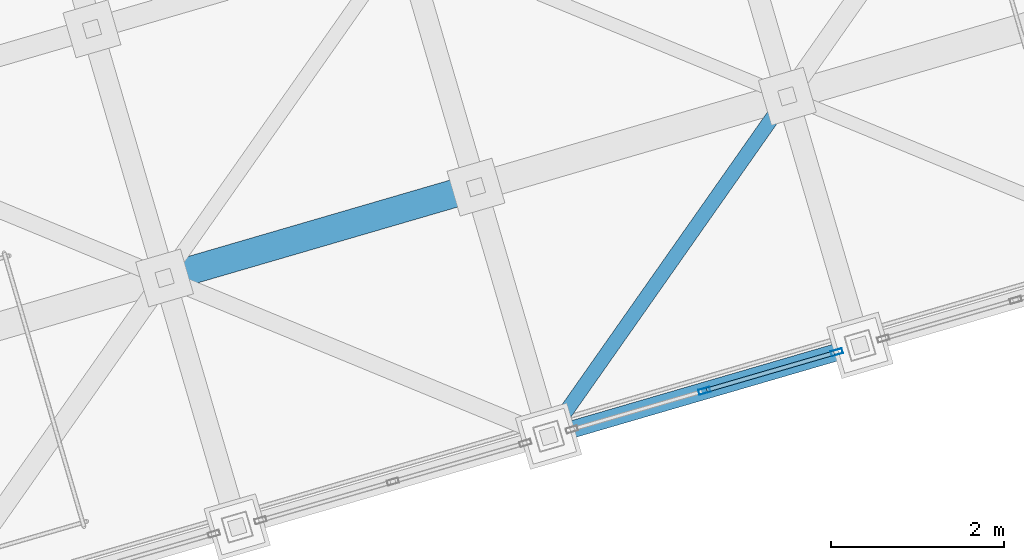
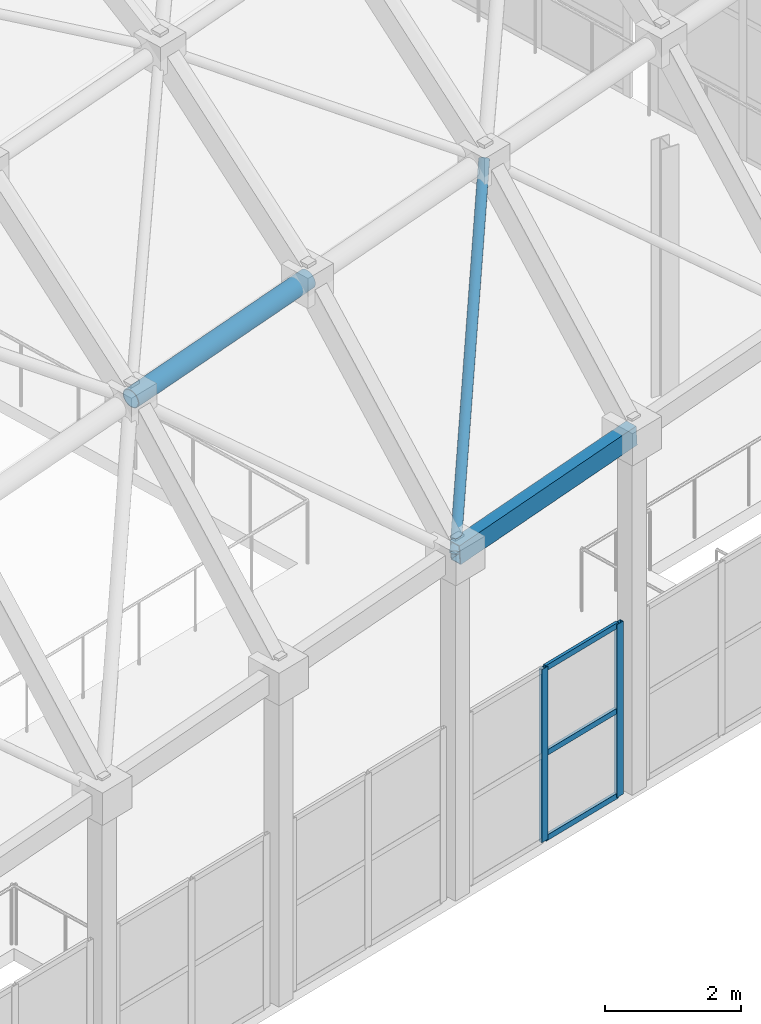
# One storey, part 65 of 248: 7 members, 1 beam, 1 element without a shape of its own.
"""IFC4 building model written with IfcOpenShell, lengths in metres."""

from ifc_helpers import new_model, si_unit, direction, frame, origin, origin_2d, place, context, subcontext, project, spatial, hollow_rectangle, hollow_circle, extrude, material, layer, layer_set, material_profile, profile_set, type_object, element, aggregate, save


model = new_model("IFC4")

# Units and contexts
model_context = context("Model", 3, precision=1e-05, world=origin(), true_north=direction((0.0, 1.0)))
body_context = subcontext(model_context, "Body", "Model", "MODEL_VIEW")
ifc_project = project(units=[si_unit("LENGTHUNIT", "METRE"), si_unit("AREAUNIT", "SQUARE_METRE"), si_unit("VOLUMEUNIT", "CUBIC_METRE"), si_unit("PLANEANGLEUNIT", "RADIAN"), si_unit("MASSUNIT", "GRAM", prefix="KILO")], contexts=[model_context])

# Site, building, storey
site_placement = place(None, origin())
site = spatial("IfcSite", under=ifc_project, at=site_placement, CompositionType="ELEMENT")
building_placement = place(site_placement, origin())
building = spatial("IfcBuilding", under=site, at=building_placement, Name="Canggui Botanical Conservatory", CompositionType="ELEMENT")
storey_placement = place(building_placement, frame((0.0, 0.0, 5.39990234375)))
storey = spatial("IfcBuildingStorey", under=building, at=storey_placement, Name="L02", CompositionType="ELEMENT", Elevation=5.39990234375)

# Beam
ifc_material_1 = material(Name="Steel Q355C", Category="steel")
ifc_material_profile_1 = material_profile(ifc_material_1, hollow_rectangle(XDim=0.199951171875, YDim=0.35009765625, WallThickness=0.011962890625, at=origin_2d()), Name="RHS 200x350x12")
ifc_profile_set_1 = profile_set([ifc_material_profile_1], Name="Steel Q355C")
beam_type = type_object("IfcBeamType", Name="BM-RING01", PredefinedType="BEAM", material=ifc_profile_set_1)
beam_placement = place(storey_placement, frame((56.0, 52.5, 6.10009765625), z_axis=(0.957872417874, 0.27938486839, 0.066517113516), x_axis=(-0.280004999853, 0.959998541695, 0.0)))
element("IfcBeam", 1, at=beam_placement, inside=storey, type_object=beam_type, Name="Conservatory Perimeter Ring Beam V0-11", PredefinedType="BEAM", context=body_context, shape_type="SweptSolid", body=[
    extrude(hollow_rectangle(XDim=0.199951171875, YDim=0.35009765625, WallThickness=0.011962890625, at=origin_2d()), origin(), (0.0, 0.0, 1.0), 3.758544921875),
])

# Curtain wall, members
ifc_material_2 = material(Name="Thermally Broken Aluminium", Category="aluminium")
ifc_layer = layer(ifc_material_2, 0.135009765625, Name="Thermally Broken Aluminium", Category="aluminium")
ifc_layer_set = layer_set([ifc_layer], Name="Thermally Broken Aluminium")
curtain_wall_type = type_object("IfcCurtainWallType", Name="CW-STICK-A", PredefinedType="USERDEFINED", material=ifc_layer_set)
curtain_wall_placement = place(storey_placement, origin())
curtain_wall = element("IfcCurtainWall", 2, at=curtain_wall_placement, inside=storey, type_object=curtain_wall_type, Name="Facade Curtain Wall CW-CONS-L02-V0-11", ObjectType="STICK GLAZED WALL", PredefinedType="USERDEFINED")
ifc_material_profile_2 = material_profile(ifc_material_2, hollow_rectangle(XDim=0.06005859375, YDim=0.135009765625, WallThickness=0.00341796875, at=origin_2d()), Name="CWM 60x135x3.5")
ifc_profile_set_2 = profile_set([ifc_material_profile_2], Name="Thermally Broken Aluminium")
member_type_1 = type_object("IfcMemberType", Name="CWM-04", PredefinedType="MULLION", material=ifc_profile_set_2)
member_1_placement = place(storey_placement, frame((59.331298828125, 53.4716796875, 0.0), z_axis=(0.0, 0.0, 1.0), x_axis=(0.279999999995, -0.960000000002, 0.0)))
member_1 = element("IfcMember", 3, at=member_1_placement, type_object=member_type_1, Name="CW-04 mullion 1", PredefinedType="MULLION", context=body_context, shape_type="SweptSolid", body=[
    extrude(hollow_rectangle(XDim=0.06005859375, YDim=0.135009765625, WallThickness=0.00341796875, at=origin_2d()), origin(), (0.0, 0.0, 1.0), 3.10009765625),
])
member_2_placement = place(storey_placement, frame((57.800048828125, 53.02490234375, 0.0), z_axis=(0.0, 0.0, 1.0), x_axis=(0.279999999995, -0.960000000002, 0.0)))
member_2 = element("IfcMember", 4, at=member_2_placement, type_object=member_type_1, Name="CW-04 mullion 2", PredefinedType="MULLION", context=body_context, shape_type="SweptSolid", body=[
    extrude(hollow_rectangle(XDim=0.06005859375, YDim=0.135009765625, WallThickness=0.00341796875, at=origin_2d()), origin(), (0.0, 0.0, 1.0), 3.10009765625),
])
ifc_material_profile_3 = material_profile(ifc_material_2, hollow_rectangle(XDim=0.050048828125, YDim=0.10009765625, WallThickness=0.0029296875, at=origin_2d()), Name="CWT 50x100x3")
ifc_profile_set_3 = profile_set([ifc_material_profile_3], Name="Thermally Broken Aluminium")
member_type_2 = type_object("IfcMemberType", Name="CWT-04", PredefinedType="USERDEFINED", material=ifc_profile_set_3)
member_3_placement = place(storey_placement, frame((59.302490234375, 53.463134765625, 0.025146484375), z_axis=(-0.960021373424, -0.279926709282, 0.0), x_axis=(0.279926709282, -0.960021373424, 0.0)))
member_3 = element("IfcMember", 5, at=member_3_placement, type_object=member_type_2, Name="CW-04 transom 1.1", ObjectType="TRANSOM", PredefinedType="USERDEFINED", context=body_context, shape_type="SweptSolid", body=[
    extrude(hollow_rectangle(XDim=0.050048828125, YDim=0.10009765625, WallThickness=0.0029296875, at=origin_2d()), origin(), (0.0, 0.0, 1.0), 1.534912109375),
])
member_4_placement = place(storey_placement, frame((59.302490234375, 53.463134765625, 1.550048828125), z_axis=(-0.960021373424, -0.279926709282, 0.0), x_axis=(0.279926709282, -0.960021373424, 0.0)))
member_4 = element("IfcMember", 6, at=member_4_placement, type_object=member_type_2, Name="CW-04 transom 1.2", ObjectType="TRANSOM", PredefinedType="USERDEFINED", context=body_context, shape_type="SweptSolid", body=[
    extrude(hollow_rectangle(XDim=0.050048828125, YDim=0.10009765625, WallThickness=0.0029296875, at=origin_2d()), origin(), (0.0, 0.0, 1.0), 1.534912109375),
])
member_5_placement = place(storey_placement, frame((59.302490234375, 53.463134765625, 3.0751953125), z_axis=(-0.960021373424, -0.279926709282, 0.0), x_axis=(0.279926709282, -0.960021373424, 0.0)))
member_5 = element("IfcMember", 7, at=member_5_placement, type_object=member_type_2, Name="CW-04 transom 1.3", ObjectType="TRANSOM", PredefinedType="USERDEFINED", context=body_context, shape_type="SweptSolid", body=[
    extrude(hollow_rectangle(XDim=0.050048828125, YDim=0.10009765625, WallThickness=0.0029296875, at=origin_2d()), origin(), (0.0, 0.0, 1.0), 1.534912109375),
])
aggregate(curtain_wall, [member_1, member_2, member_3, member_4, member_5])

# Members
ifc_material_profile_4 = material_profile(ifc_material_1, hollow_circle(Radius=0.16259765625, WallThickness=0.011962890625, at=origin_2d()), Name="CHS 325x12")
ifc_profile_set_4 = profile_set([ifc_material_profile_4], Name="Steel Q355C")
member_type_3 = type_object("IfcMemberType", Name="MEM-GSC01", PredefinedType="CHORD", material=ifc_profile_set_4)
member_6_placement = place(storey_placement, frame((51.56005859375, 54.330078125, 9.30615234375), z_axis=(0.95788444389, 0.279342360714, 0.066522459854), x_axis=(-0.279962497833, 0.960010937337, 0.0)))
element("IfcMember", 8, at=member_6_placement, inside=storey, type_object=member_type_3, Name="Conservatory Gridshell Longitudinal Chord 10-1", PredefinedType="CHORD", context=body_context, shape_type="SweptSolid", body=[
    extrude(hollow_circle(Radius=0.16259765625, WallThickness=0.011962890625, at=origin_2d()), origin(), (0.0, 0.0, 1.0), 3.758056640625),
])
ifc_material_profile_5 = material_profile(ifc_material_1, hollow_circle(Radius=0.083984375, WallThickness=0.008056640625, at=origin_2d()), Name="CHS 168x8")
ifc_profile_set_5 = profile_set([ifc_material_profile_5], Name="Steel Q355C")
member_type_4 = type_object("IfcMemberType", Name="MEM-GSD03", PredefinedType="RAFTER", material=ifc_profile_set_5)
member_7_placement = place(storey_placement, frame((56.0, 52.5, 6.10009765625), z_axis=(0.454993560937, 0.647857704592, 0.61095110615), x_axis=(-0.818344854073, 0.574727500484, 0.0)))
element("IfcMember", 9, at=member_7_placement, inside=storey, type_object=member_type_4, Name="Conservatory Gridshell Diagrid Rafter 11-1", PredefinedType="RAFTER", context=body_context, shape_type="SweptSolid", body=[
    extrude(hollow_circle(Radius=0.083984375, WallThickness=0.008056640625, at=origin_2d()), origin(), (0.0, 0.0, 1.0), 6.066162109375),
])

save(model, "model.ifc")
